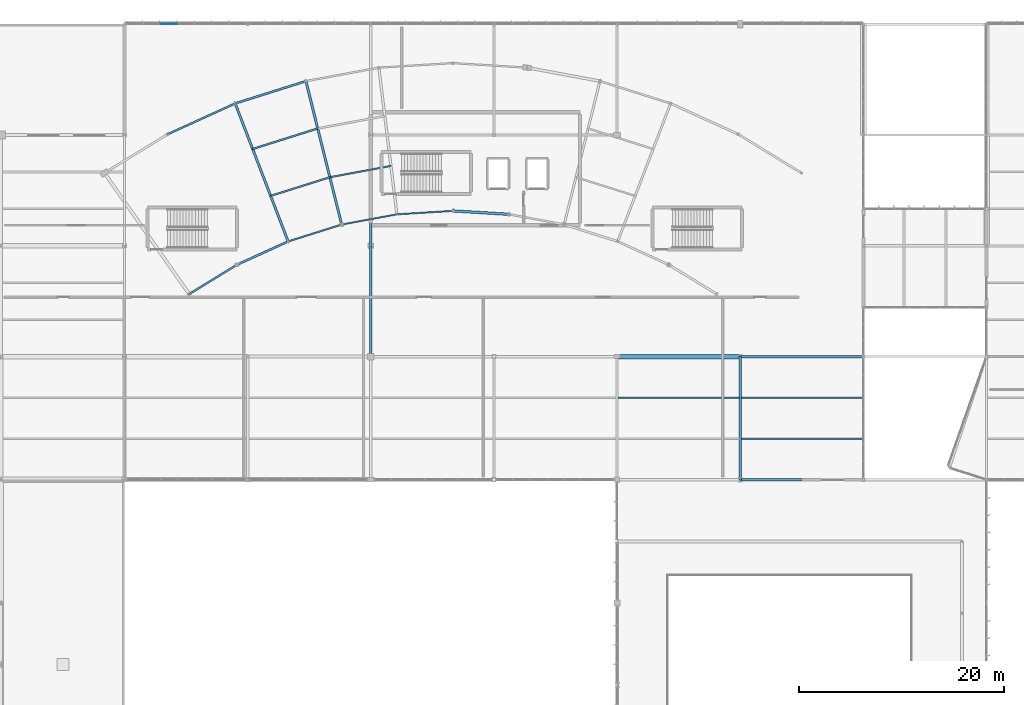
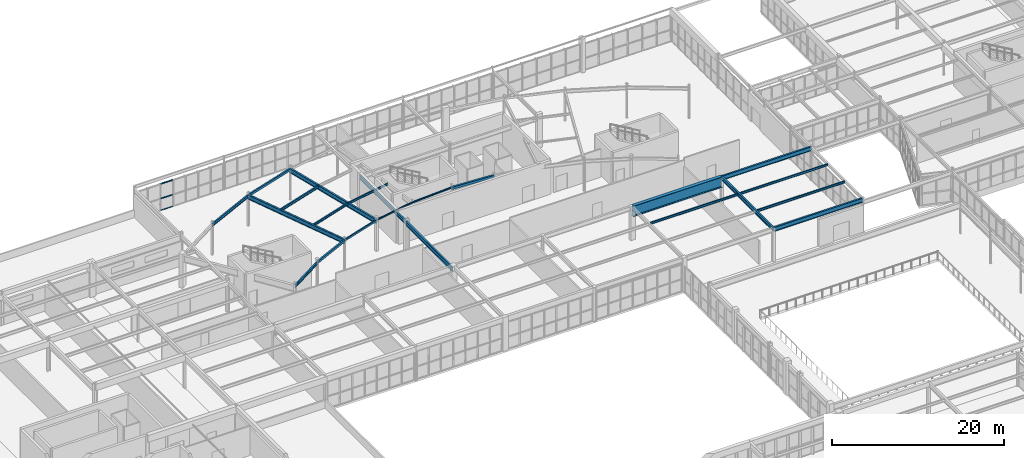
# One storey, part 79 of 186: 22 beams, 3 members, 1 element without a shape of its own.
"""IFC4 building model written with IfcOpenShell, lengths in metres."""

from ifc_helpers import new_model, si_unit, direction, frame, origin, origin_2d, place, context, subcontext, project, spatial, rectangle, hollow_rectangle, i_section, extrude, material, layer, layer_set, material_profile, profile_set, type_object, element, aggregate, save


model = new_model("IFC4")

# Units and contexts
model_context = context("Model", 3, precision=1e-05, world=origin(), true_north=direction((0.0, 1.0)))
body_context = subcontext(model_context, "Body", "Model", "MODEL_VIEW")
ifc_project = project(units=[si_unit("LENGTHUNIT", "METRE"), si_unit("AREAUNIT", "SQUARE_METRE"), si_unit("VOLUMEUNIT", "CUBIC_METRE"), si_unit("PLANEANGLEUNIT", "RADIAN"), si_unit("MASSUNIT", "GRAM", prefix="KILO")], contexts=[model_context])

# Site, building, storey
site_placement = place(None, origin())
site = spatial("IfcSite", under=ifc_project, at=site_placement, CompositionType="ELEMENT")
building_placement = place(site_placement, origin())
building = spatial("IfcBuilding", under=site, at=building_placement, Name="Tarnwether General Hospital", CompositionType="ELEMENT")
storey_placement = place(building_placement, frame((0.0, 0.0, 9.60009765625)))
storey = spatial("IfcBuildingStorey", under=building, at=storey_placement, Name="L02", CompositionType="ELEMENT", Elevation=9.60009765625)

# Beams
ifc_material_1 = material(Name="Steel Grade 350 (350 MPa)", Category="steel")
ifc_material_profile_1 = material_profile(ifc_material_1, i_section(OverallWidth=0.22900390625, OverallDepth=0.612060546875, WebThickness=0.011962890625, FlangeThickness=0.01953125, at=origin_2d()), Name="610UB125")
ifc_profile_set_1 = profile_set([ifc_material_profile_1], Name="Steel Grade 350 (350 MPa)")
beam_type_1 = type_object("IfcBeamType", Name="BM-G03", PredefinedType="BEAM", material=ifc_profile_set_1)
beam_1_placement = place(storey_placement, frame((70.784912109375, 118.26806640625, 4.1240234375), z_axis=(0.358334838026, -0.933593136145, 0.0), x_axis=(0.933593136145, 0.358334838026, 0.0)))
element("IfcBeam", 1, at=beam_1_placement, inside=storey, type_object=beam_type_1, Name="Curved Ward NW Radial Girder BMG-L02-7078_11827-7594_10482-1886", PredefinedType="BEAM", context=body_context, shape_type="SweptSolid", body=[
    extrude(i_section(OverallWidth=0.22900390625, OverallDepth=0.612060546875, WebThickness=0.011962890625, FlangeThickness=0.01953125, at=origin_2d()), origin(), (0.0, 0.0, 1.0), 14.400390625),
])
ifc_material_2 = material(Name="Steel Grade 350 (350 MPa)", Category="steel")
ifc_material_profile_2 = material_profile(ifc_material_2, i_section(OverallWidth=0.22802734375, OverallDepth=0.60693359375, WebThickness=0.01123046875, FlangeThickness=0.017333984375, at=origin_2d()), Name="610UB113")
ifc_profile_set_2 = profile_set([ifc_material_profile_2], Name="Steel Grade 350 (350 MPa)")
beam_type_2 = type_object("IfcBeamType", Name="BM-G04", PredefinedType="BEAM", material=ifc_profile_set_2)
beam_2_placement = place(storey_placement, frame((120.0, 81.60009765625, 4.496337890625), z_axis=(1.0, 0.0, 0.0), x_axis=(0.0, 1.0, 0.0)))
element("IfcBeam", 2, at=beam_2_placement, inside=storey, type_object=beam_type_2, Name="Primary Girder BMG-L02-12000_8160-13200_8160-1545", PredefinedType="BEAM", context=body_context, shape_type="SweptSolid", body=[
    extrude(i_section(OverallWidth=0.22802734375, OverallDepth=0.60693359375, WebThickness=0.01123046875, FlangeThickness=0.017333984375, at=origin_2d()), origin(), (0.0, 0.0, 1.0), 12.0),
])
beam_3_placement = place(storey_placement, frame((77.677978515625, 120.44189453125, 4.12646484375), z_axis=(0.241941215118, -0.970290909175, 0.0), x_axis=(0.970290909175, 0.241941215118, 0.0)))
element("IfcBeam", 3, at=beam_3_placement, inside=storey, type_object=beam_type_2, Name="Curved Ward NW Radial Girder BMG-L02-7768_12044-8116_10647-1887", PredefinedType="BEAM", context=body_context, shape_type="SweptSolid", body=[
    extrude(i_section(OverallWidth=0.22802734375, OverallDepth=0.60693359375, WebThickness=0.01123046875, FlangeThickness=0.017333984375, at=origin_2d()), origin(), (0.0, 0.0, 1.0), 14.400634765625),
])
ifc_material_3 = material(Name="Steel Grade 350 (350 MPa)", Category="steel")
ifc_material_profile_3 = material_profile(ifc_material_3, i_section(OverallWidth=0.22802734375, OverallDepth=0.60205078125, WebThickness=0.010498046875, FlangeThickness=0.014892578125, at=origin_2d()), Name="610UB101")
ifc_profile_set_3 = profile_set([ifc_material_profile_3], Name="Steel Grade 350 (350 MPa)")
beam_type_3 = type_object("IfcBeamType", Name="BM-G05", PredefinedType="BEAM", material=ifc_profile_set_3)
beam_4_placement = place(storey_placement, frame((84.0, 93.60009765625, 4.12890625), z_axis=(0.0, 1.0, 0.0), x_axis=(-1.0, 0.0, 0.0)))
element("IfcBeam", 4, at=beam_4_placement, inside=storey, type_object=beam_type_3, Name="Primary Girder BMG-L02-8400_9360-8400_10440-1516", PredefinedType="BEAM", context=body_context, shape_type="SweptSolid", body=[
    extrude(i_section(OverallWidth=0.22802734375, OverallDepth=0.60205078125, WebThickness=0.010498046875, FlangeThickness=0.014892578125, at=origin_2d()), origin(), (0.0, 0.0, 1.0), 10.7998046875),
])
beam_5_placement = place(storey_placement, frame((120.0, 93.60009765625, 4.4990234375), z_axis=(1.0, 0.0, 0.0), x_axis=(0.0, 1.0, 0.0)))
element("IfcBeam", 5, at=beam_5_placement, inside=storey, type_object=beam_type_3, Name="Primary Girder BMG-L02-12000_9360-13200_9360-1547", PredefinedType="BEAM", context=body_context, shape_type="SweptSolid", body=[
    extrude(i_section(OverallWidth=0.22802734375, OverallDepth=0.60205078125, WebThickness=0.010498046875, FlangeThickness=0.014892578125, at=origin_2d()), origin(), (0.0, 0.0, 1.0), 12.0),
])
ifc_material_4 = material(Name="Steel Grade 350 (350 MPa)", Category="steel")
ifc_material_profile_4 = material_profile(ifc_material_4, i_section(OverallWidth=0.208984375, OverallDepth=0.532958984375, WebThickness=0.01025390625, FlangeThickness=0.015625, at=origin_2d()), Name="530UB92.4")
ifc_profile_set_4 = profile_set([ifc_material_profile_4], Name="Steel Grade 350 (350 MPa)")
beam_type_4 = type_object("IfcBeamType", Name="BM-G06", PredefinedType="BEAM", material=ifc_profile_set_4)
beam_6_placement = place(storey_placement, frame((84.0, 104.39990234375, 4.163330078125), z_axis=(0.0, 1.0, 0.0), x_axis=(-1.0, 0.0, 0.0)))
element("IfcBeam", 6, at=beam_6_placement, inside=storey, type_object=beam_type_4, Name="Primary Girder BMG-L02-8400_10440-8400_11520-1517", PredefinedType="BEAM", context=body_context, shape_type="SweptSolid", body=[
    extrude(i_section(OverallWidth=0.208984375, OverallDepth=0.532958984375, WebThickness=0.01025390625, FlangeThickness=0.015625, at=origin_2d()), origin(), (0.0, 0.0, 1.0), 10.800048828125),
])
ifc_material_5 = material(Name="Steel Grade 350 (350 MPa)", Category="steel")
ifc_material_profile_5 = material_profile(ifc_material_5, i_section(OverallWidth=0.208984375, OverallDepth=0.528076171875, WebThickness=0.009521484375, FlangeThickness=0.01318359375, at=origin_2d()), Name="530UB82.0")
ifc_profile_set_5 = profile_set([ifc_material_profile_5], Name="Steel Grade 350 (350 MPa)")
beam_type_5 = type_object("IfcBeamType", Name="BM-G07", PredefinedType="BEAM", material=ifc_profile_set_5)
beam_7_placement = place(storey_placement, frame((120.0, 81.60009765625, 4.535888671875), z_axis=(0.0, 1.0, 0.0), x_axis=(-1.0, 0.0, 0.0)))
element("IfcBeam", 7, at=beam_7_placement, inside=storey, type_object=beam_type_5, Name="Primary Girder BMG-L02-12000_8160-12000_9360-1546", PredefinedType="BEAM", context=body_context, shape_type="SweptSolid", body=[
    extrude(i_section(OverallWidth=0.208984375, OverallDepth=0.528076171875, WebThickness=0.009521484375, FlangeThickness=0.01318359375, at=origin_2d()), origin(), (0.0, 0.0, 1.0), 12.0),
])
ifc_material_6 = material(Name="Steel Grade 350 (350 MPa)", Category="steel")
ifc_material_profile_6 = material_profile(ifc_material_6, i_section(OverallWidth=0.1708984375, OverallDepth=0.35595703125, WebThickness=0.00732421875, FlangeThickness=0.011474609375, at=origin_2d()), Name="360UB50.7")
ifc_profile_set_6 = profile_set([ifc_material_profile_6], Name="Steel Grade 350 (350 MPa)")
beam_type_6 = type_object("IfcBeamType", Name="BM-J04", PredefinedType="JOIST", material=ifc_profile_set_6)
beam_8_placement = place(storey_placement, frame((72.488037109375, 113.8310546875, 4.251953125), z_axis=(0.953671429399, 0.300850136693, 0.0), x_axis=(-0.300850136693, 0.953671429399, 0.0)))
element("IfcBeam", 8, at=beam_8_placement, inside=storey, type_object=beam_type_6, Name="Curved Ward NW Chord Joist BMG-L02-7249_11383-7883_11583-1897", PredefinedType="JOIST", context=body_context, shape_type="SweptSolid", body=[
    extrude(i_section(OverallWidth=0.1708984375, OverallDepth=0.35595703125, WebThickness=0.00732421875, FlangeThickness=0.011474609375, at=origin_2d()), origin(), (0.0, 0.0, 1.0), 6.64794921875),
])
ifc_material_7 = material(Name="Steel Grade 350 (350 MPa)", Category="steel")
ifc_material_profile_7 = material_profile(ifc_material_7, i_section(OverallWidth=0.1650390625, OverallDepth=0.303955078125, WebThickness=0.006103515625, FlangeThickness=0.01025390625, at=origin_2d()), Name="310UB40.4")
ifc_profile_set_7 = profile_set([ifc_material_profile_7], Name="Steel Grade 350 (350 MPa)")
beam_type_7 = type_object("IfcBeamType", Name="BM-J07", PredefinedType="JOIST", material=ifc_profile_set_7)
beam_9_placement = place(storey_placement, frame((108.09912109375, 89.60009765625, 4.64794921875), z_axis=(1.0, 0.0, 0.0), x_axis=(0.0, 1.0, 0.0)))
element("IfcBeam", 9, at=beam_9_placement, inside=storey, type_object=beam_type_7, Name="Composite Floor Joist BMG-L02-10810_8960-11990_8960-1701", PredefinedType="JOIST", context=body_context, shape_type="SweptSolid", body=[
    extrude(i_section(OverallWidth=0.1650390625, OverallDepth=0.303955078125, WebThickness=0.006103515625, FlangeThickness=0.01025390625, at=origin_2d()), origin(), (0.0, 0.0, 1.0), 11.8017578125),
])
beam_10_placement = place(storey_placement, frame((120.09912109375, 85.60009765625, 4.64794921875), z_axis=(1.0, 0.0, 0.0), x_axis=(0.0, 1.0, 0.0)))
element("IfcBeam", 10, at=beam_10_placement, inside=storey, type_object=beam_type_7, Name="Composite Floor Joist BMG-L02-12010_8560-13191_8560-1704", PredefinedType="JOIST", context=body_context, shape_type="SweptSolid", body=[
    extrude(i_section(OverallWidth=0.1650390625, OverallDepth=0.303955078125, WebThickness=0.006103515625, FlangeThickness=0.01025390625, at=origin_2d()), origin(), (0.0, 0.0, 1.0), 11.811767578125),
])
beam_11_placement = place(storey_placement, frame((74.241943359375, 109.260986328125, 4.27783203125), z_axis=(0.953725879816, 0.300677478654, 0.0), x_axis=(-0.300677478654, 0.953725879816, 0.0)))
element("IfcBeam", 11, at=beam_11_placement, inside=storey, type_object=beam_type_7, Name="Curved Ward NW Chord Joist BMG-L02-7424_10926-8001_11108-1898", PredefinedType="JOIST", context=body_context, shape_type="SweptSolid", body=[
    extrude(i_section(OverallWidth=0.1650390625, OverallDepth=0.303955078125, WebThickness=0.006103515625, FlangeThickness=0.01025390625, at=origin_2d()), origin(), (0.0, 0.0, 1.0), 6.050048828125),
])
ifc_material_8 = material(Name="Steel Grade 350 (350 MPa)", Category="steel")
ifc_material_profile_8 = material_profile(ifc_material_8, i_section(OverallWidth=0.14892578125, OverallDepth=0.298095703125, WebThickness=0.005615234375, FlangeThickness=0.008056640625, at=origin_2d()), Name="310UB32.0")
ifc_profile_set_8 = profile_set([ifc_material_profile_8], Name="Steel Grade 350 (350 MPa)")
beam_type_8 = type_object("IfcBeamType", Name="BM-J08", PredefinedType="JOIST", material=ifc_profile_set_8)
beam_12_placement = place(storey_placement, frame((120.09912109375, 89.60009765625, 4.65087890625), z_axis=(1.0, 0.0, 0.0), x_axis=(0.0, 1.0, 0.0)))
element("IfcBeam", 12, at=beam_12_placement, inside=storey, type_object=beam_type_8, Name="Composite Floor Joist BMG-L02-12010_8960-13191_8960-1705", PredefinedType="JOIST", context=body_context, shape_type="SweptSolid", body=[
    extrude(i_section(OverallWidth=0.14892578125, OverallDepth=0.298095703125, WebThickness=0.005615234375, FlangeThickness=0.008056640625, at=origin_2d()), origin(), (0.0, 0.0, 1.0), 11.811767578125),
])
beam_13_placement = place(storey_placement, frame((80.011962890625, 111.080078125, 4.281005859375), z_axis=(0.983241575901, 0.182307442029, 0.0), x_axis=(-0.182307442029, 0.983241575901, 0.0)))
element("IfcBeam", 13, at=beam_13_placement, inside=storey, type_object=beam_type_8, Name="Curved Ward NW Chord Joist BMG-L02-8001_11108-8596_11218-1902", PredefinedType="JOIST", context=body_context, shape_type="SweptSolid", body=[
    extrude(i_section(OverallWidth=0.14892578125, OverallDepth=0.298095703125, WebThickness=0.005615234375, FlangeThickness=0.008056640625, at=origin_2d()), origin(), (0.0, 0.0, 1.0), 6.05029296875),
])
ifc_material_9 = material(Name="Steel Grade 350 (350 MPa)", Category="steel")
ifc_material_profile_9 = material_profile(ifc_material_9, i_section(OverallWidth=0.177978515625, OverallDepth=0.403076171875, WebThickness=0.007568359375, FlangeThickness=0.010986328125, at=origin_2d()), Name="410UB53.7")
ifc_profile_set_9 = profile_set([ifc_material_profile_9], Name="Steel Grade 350 (350 MPa)")
beam_type_9 = type_object("IfcBeamType", Name="BM-SP2", PredefinedType="SPANDREL", material=ifc_profile_set_9)
beam_14_placement = place(storey_placement, frame((66.303955078125, 99.697998046875, 4.228515625), z_axis=(0.85265897909, 0.522467860617, 0.0), x_axis=(-0.522467860617, 0.85265897909, 0.0)))
element("IfcBeam", 14, at=beam_14_placement, inside=storey, type_object=beam_type_9, Name="Curved Ward NW Inner Spandrel BMG-L02-6630_9970-7097_10256-1892", PredefinedType="SPANDREL", context=body_context, shape_type="SweptSolid", body=[
    extrude(i_section(OverallWidth=0.177978515625, OverallDepth=0.403076171875, WebThickness=0.007568359375, FlangeThickness=0.010986328125, at=origin_2d()), origin(), (0.0, 0.0, 1.0), 5.469970703125),
])
beam_15_placement = place(storey_placement, frame((64.20703125, 115.27001953125, 4.228515625), z_axis=(0.909943842177, 0.414731484316, 0.0), x_axis=(-0.414731484316, 0.909943842177, 0.0)))
element("IfcBeam", 15, at=beam_15_placement, inside=storey, type_object=beam_type_9, Name="Curved Ward NW Outer Spandrel BMG-L02-6421_11527-7078_11827-1893", PredefinedType="SPANDREL", context=body_context, shape_type="SweptSolid", body=[
    extrude(i_section(OverallWidth=0.177978515625, OverallDepth=0.403076171875, WebThickness=0.007568359375, FlangeThickness=0.010986328125, at=origin_2d()), origin(), (0.0, 0.0, 1.0), 7.22900390625),
])
ifc_material_10 = material(Name="Steel Grade C350L0 (350 MPa)", Category="steel")
ifc_material_profile_10 = material_profile(ifc_material_10, hollow_rectangle(XDim=0.199951171875, YDim=0.300048828125, WallThickness=0.012451171875, at=origin_2d()), Name="RHS300x200x12.5")
ifc_profile_set_10 = profile_set([ifc_material_profile_10], Name="Steel Grade C350L0 (350 MPa)")
beam_type_10 = type_object("IfcBeamType", Name="BM-SP3", PredefinedType="SPANDREL", material=ifc_profile_set_10)
beam_16_placement = place(storey_placement, frame((70.968017578125, 102.555908203125, 4.27978515625), z_axis=(0.909968605358, 0.414677148228, 0.0), x_axis=(-0.414677148228, 0.909968605358, 0.0)))
element("IfcBeam", 16, at=beam_16_placement, inside=storey, type_object=beam_type_10, Name="Curved Ward NW Inner Spandrel BMG-L02-7097_10256-7594_10482-1894", PredefinedType="SPANDREL", context=body_context, shape_type="SweptSolid", body=[
    extrude(hollow_rectangle(XDim=0.199951171875, YDim=0.300048828125, WallThickness=0.012451171875, at=origin_2d()), origin(), (0.0, 0.0, 1.0), 5.469482421875),
])
beam_17_placement = place(storey_placement, frame((70.784912109375, 118.26806640625, 4.27978515625), z_axis=(0.953698988948, 0.300762761125, 0.0), x_axis=(-0.300762761125, 0.953698988948, 0.0)))
element("IfcBeam", 17, at=beam_17_placement, inside=storey, type_object=beam_type_10, Name="Curved Ward NW Outer Spandrel BMG-L02-7078_11827-7768_12044-1895", PredefinedType="SPANDREL", context=body_context, shape_type="SweptSolid", body=[
    extrude(hollow_rectangle(XDim=0.199951171875, YDim=0.300048828125, WallThickness=0.012451171875, at=origin_2d()), origin(), (0.0, 0.0, 1.0), 7.227783203125),
])
ifc_material_11 = material(Name="Steel Grade C350L0 (350 MPa)", Category="steel")
ifc_material_profile_11 = material_profile(ifc_material_11, hollow_rectangle(XDim=0.14990234375, YDim=0.25, WallThickness=0.010009765625, at=origin_2d()), Name="RHS250x150x10")
ifc_profile_set_11 = profile_set([ifc_material_profile_11], Name="Steel Grade C350L0 (350 MPa)")
beam_type_11 = type_object("IfcBeamType", Name="BM-SP4", PredefinedType="SPANDREL", material=ifc_profile_set_11)
beam_18_placement = place(storey_placement, frame((75.945068359375, 104.823974609375, 4.304931640625), z_axis=(0.953712084488, 0.300721232874, 0.0), x_axis=(-0.300721232874, 0.953712084488, 0.0)))
element("IfcBeam", 18, at=beam_18_placement, inside=storey, type_object=beam_type_11, Name="Curved Ward NW Inner Spandrel BMG-L02-7594_10482-8116_10647-1896", PredefinedType="SPANDREL", context=body_context, shape_type="SweptSolid", body=[
    extrude(hollow_rectangle(XDim=0.14990234375, YDim=0.25, WallThickness=0.010009765625, at=origin_2d()), origin(), (0.0, 0.0, 1.0), 5.47021484375),
])
ifc_material_12 = material(Name="Steel Grade 350 (350 MPa)", Category="steel")
ifc_material_profile_12 = material_profile(ifc_material_12, i_section(OverallWidth=0.133056640625, OverallDepth=0.202880859375, WebThickness=0.005859375, FlangeThickness=0.0078125, at=origin_2d()), Name="200UB25.4")
ifc_profile_set_12 = profile_set([ifc_material_profile_12], Name="Steel Grade 350 (350 MPa)")
beam_type_12 = type_object("IfcBeamType", Name="BM-SP5", PredefinedType="SPANDREL", material=ifc_profile_set_12)
beam_19_placement = place(storey_placement, frame((81.162109375, 106.468994140625, 4.328369140625), z_axis=(0.983244096291, 0.18229384825, 0.0), x_axis=(-0.18229384825, 0.983244096291, 0.0)))
element("IfcBeam", 19, at=beam_19_placement, inside=storey, type_object=beam_type_12, Name="Curved Ward NW Inner Spandrel BMG-L02-8116_10647-8654_10747-1900", PredefinedType="SPANDREL", context=body_context, shape_type="SweptSolid", body=[
    extrude(i_section(OverallWidth=0.133056640625, OverallDepth=0.202880859375, WebThickness=0.005859375, FlangeThickness=0.0078125, at=origin_2d()), origin(), (0.0, 0.0, 1.0), 5.469482421875),
])
ifc_material_13 = material(Name="Steel Grade 350 (350 MPa)", Category="steel")
ifc_material_profile_13 = material_profile(ifc_material_13, i_section(OverallWidth=0.133056640625, OverallDepth=0.201904296875, WebThickness=0.0048828125, FlangeThickness=0.007080078125, at=origin_2d()), Name="200UB22.3")
ifc_profile_set_13 = profile_set([ifc_material_profile_13], Name="Steel Grade 350 (350 MPa)")
beam_type_13 = type_object("IfcBeamType", Name="BM-SP6", PredefinedType="SPANDREL", material=ifc_profile_set_13)
beam_20_placement = place(storey_placement, frame((86.5400390625, 107.466064453125, 4.328857421875), z_axis=(0.998134365538, 0.061055616708, 0.0), x_axis=(-0.061055616708, 0.998134365538, 0.0)))
element("IfcBeam", 20, at=beam_20_placement, inside=storey, type_object=beam_type_13, Name="Curved Ward NW Inner Spandrel BMG-L02-8654_10747-9200_10780-1904", PredefinedType="SPANDREL", context=body_context, shape_type="SweptSolid", body=[
    extrude(i_section(OverallWidth=0.133056640625, OverallDepth=0.201904296875, WebThickness=0.0048828125, FlangeThickness=0.007080078125, at=origin_2d()), origin(), (0.0, 0.0, 1.0), 5.47021484375),
])
ifc_material_14 = material(Name="Steel Grade C350L0 (350 MPa)", Category="steel")
ifc_material_profile_14 = material_profile(ifc_material_14, hollow_rectangle(XDim=0.25, YDim=0.35009765625, WallThickness=0.012451171875, at=origin_2d()), Name="RHS350x250x12.5")
ifc_profile_set_14 = profile_set([ifc_material_profile_14], Name="Steel Grade C350L0 (350 MPa)")
beam_type_14 = type_object("IfcBeamType", Name="BM-SP7", PredefinedType="SPANDREL", material=ifc_profile_set_14)
beam_21_placement = place(storey_placement, frame((92.0, 107.800048828125, 4.2548828125), z_axis=(0.998134365538, -0.061055616708, 0.0), x_axis=(0.061055616708, 0.998134365538, 0.0)))
element("IfcBeam", 21, at=beam_21_placement, inside=storey, type_object=beam_type_14, Name="Curved Ward NW Inner Spandrel BMG-L02-9200_10780-9746_10747-1906", PredefinedType="SPANDREL", context=body_context, shape_type="SweptSolid", body=[
    extrude(hollow_rectangle(XDim=0.25, YDim=0.35009765625, WallThickness=0.012451171875, at=origin_2d()), origin(), (0.0, 0.0, 1.0), 5.47021484375),
])
ifc_material_15 = material(Name="Steel Grade 350 (350 MPa)", Category="steel")
ifc_material_profile_15 = material_profile(ifc_material_15, i_section(OverallWidth=0.449951171875, OverallDepth=1.5, WebThickness=0.01806640625, FlangeThickness=0.035888671875, at=origin_2d()), Name="1500WB420")
ifc_profile_set_15 = profile_set([ifc_material_profile_15], Name="Steel Grade 350 (350 MPa)")
beam_type_15 = type_object("IfcBeamType", Name="BM-TG1", PredefinedType="BEAM", material=ifc_profile_set_15)
beam_22_placement = place(storey_placement, frame((108.0, 93.60009765625, 4.0498046875), z_axis=(1.0, 0.0, 0.0), x_axis=(0.0, 1.0, 0.0)))
element("IfcBeam", 22, at=beam_22_placement, inside=storey, type_object=beam_type_15, Name="Transfer Girder TG-01 North East BMG-L02-10800_9360-12000_9360-0006", PredefinedType="BEAM", context=body_context, shape_type="SweptSolid", body=[
    extrude(i_section(OverallWidth=0.449951171875, OverallDepth=1.5, WebThickness=0.01806640625, FlangeThickness=0.035888671875, at=origin_2d()), origin(), (0.0, 0.0, 1.0), 12.0),
])

# Curtain wall, members
ifc_material_16 = material(Name="Anodised aluminium", Category="aluminium")
ifc_layer = layer(ifc_material_16, 0.159912109375)
ifc_layer_set = layer_set([ifc_layer], Name="Anodised aluminium")
curtain_wall_type = type_object("IfcCurtainWallType", Name="CW-17", PredefinedType="NOTDEFINED", material=ifc_layer_set)
curtain_wall_placement = place(storey_placement, origin())
curtain_wall = element("IfcCurtainWall", 23, at=curtain_wall_placement, inside=storey, type_object=curtain_wall_type, Name="Curtain Wall CWG-L02-601_1260-0403", PredefinedType="NOTDEFINED")
ifc_material_17 = material(Name="Anodised aluminium", Category="aluminium")
ifc_material_profile_16 = material_profile(ifc_material_17, rectangle(XDim=0.06005859375, YDim=0.1201171875, at=origin_2d()), Name="ALU-TRN-60x120")
ifc_profile_set_16 = profile_set([ifc_material_profile_16], Name="Anodised aluminium")
member_type = type_object("IfcMemberType", Name="CW-TR1", PredefinedType="USERDEFINED", material=ifc_profile_set_16)
member_1_placement = place(storey_placement, frame((63.515625, 126.0, 0.02978515625), z_axis=(1.0, 0.0, 0.0), x_axis=(0.0, 1.0, 0.0)))
member_1 = element("IfcMember", 24, at=member_1_placement, type_object=member_type, Name="CW-17 transom 3.1", ObjectType="TRANSOM", PredefinedType="USERDEFINED", context=body_context, shape_type="SweptSolid", body=[
    extrude(rectangle(XDim=0.06005859375, YDim=0.1201171875, at=origin_2d()), origin(), (0.0, 0.0, 1.0), 1.626220703125),
])
member_2_placement = place(storey_placement, frame((63.515625, 126.0, 1.7158203125), z_axis=(1.0, 0.0, 0.0), x_axis=(0.0, 1.0, 0.0)))
member_2 = element("IfcMember", 25, at=member_2_placement, type_object=member_type, Name="CW-17 transom 3.2", ObjectType="TRANSOM", PredefinedType="USERDEFINED", context=body_context, shape_type="SweptSolid", body=[
    extrude(rectangle(XDim=0.06005859375, YDim=0.1201171875, at=origin_2d()), origin(), (0.0, 0.0, 1.0), 1.626220703125),
])
member_3_placement = place(storey_placement, frame((63.515625, 126.0, 3.782958984375), z_axis=(1.0, 0.0, 0.0), x_axis=(0.0, 1.0, 0.0)))
member_3 = element("IfcMember", 26, at=member_3_placement, type_object=member_type, Name="CW-17 transom 3.3", ObjectType="TRANSOM", PredefinedType="USERDEFINED", context=body_context, shape_type="SweptSolid", body=[
    extrude(rectangle(XDim=0.06005859375, YDim=0.1201171875, at=origin_2d()), origin(), (0.0, 0.0, 1.0), 1.626220703125),
])
aggregate(curtain_wall, [member_1, member_2, member_3])

save(model, "model.ifc")
